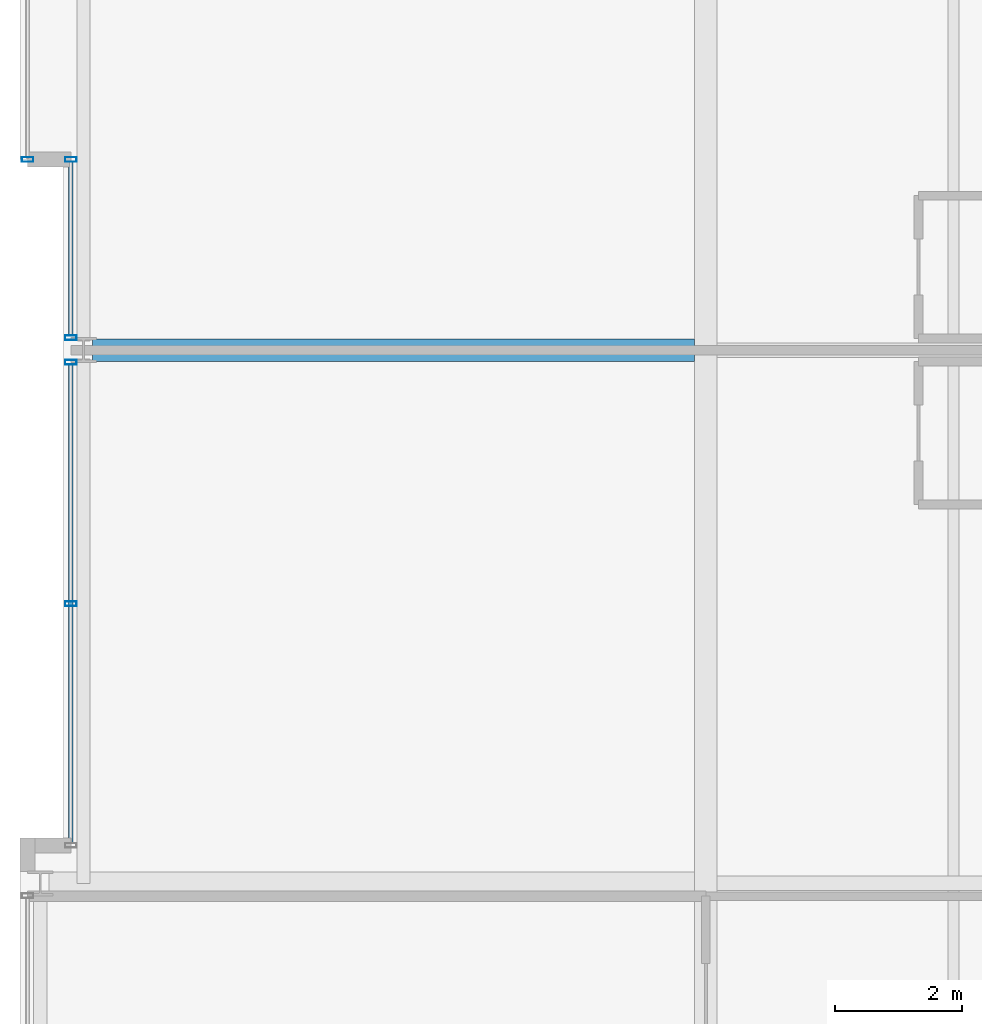
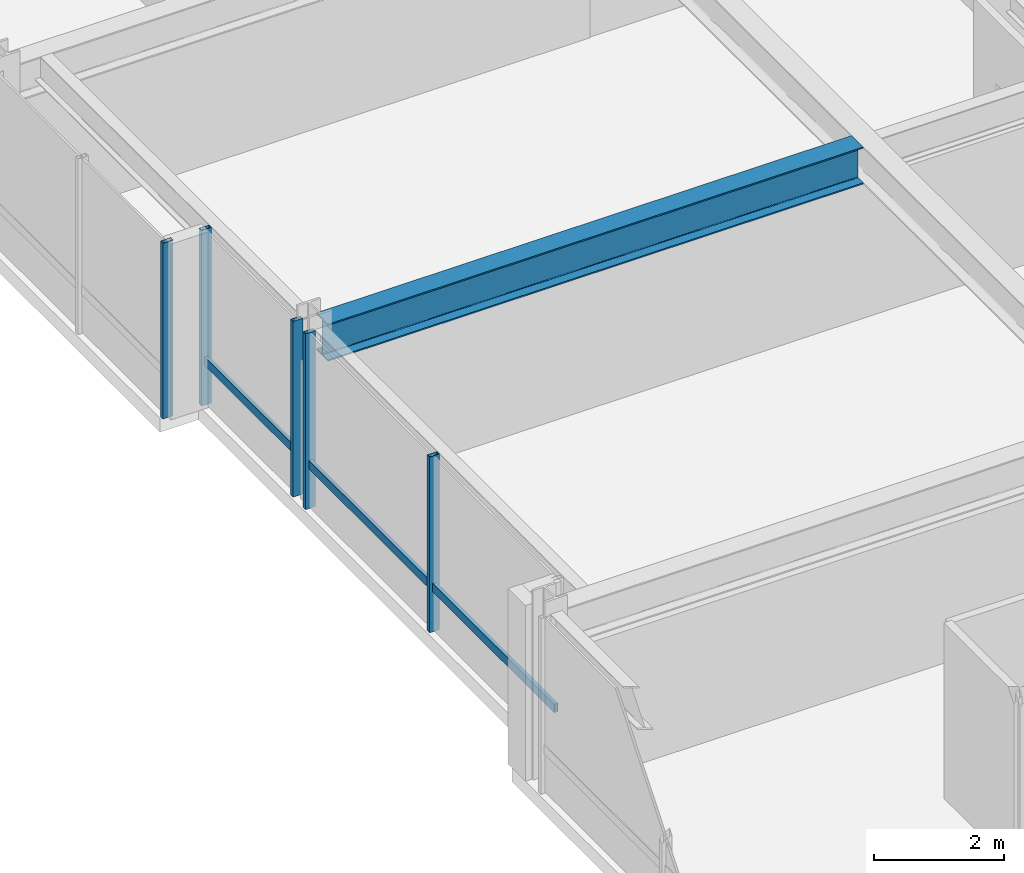
# One storey, part 9 of 32: 7 members, 1 beam, 3 elements without a shape of their own.
"""IFC4 building model written with IfcOpenShell, lengths in metres."""

from ifc_helpers import new_model, si_unit, direction, frame, origin, origin_2d, place, context, subcontext, project, spatial, hollow_rectangle, i_section, extrude, material, layer, layer_set, material_profile, profile_set, type_object, element, aggregate, save


model = new_model("IFC4")

# Units and contexts
model_context = context("Model", 3, precision=1e-05, world=origin(), true_north=direction((0.0, 1.0)))
body_context = subcontext(model_context, "Body", "Model", "MODEL_VIEW")
ifc_project = project(units=[si_unit("LENGTHUNIT", "METRE"), si_unit("AREAUNIT", "SQUARE_METRE"), si_unit("VOLUMEUNIT", "CUBIC_METRE"), si_unit("PLANEANGLEUNIT", "RADIAN"), si_unit("MASSUNIT", "GRAM", prefix="KILO")], contexts=[model_context])

# Site, building, storey
site_placement = place(None, origin())
site = spatial("IfcSite", under=ifc_project, at=site_placement, CompositionType="ELEMENT")
building_placement = place(site_placement, origin())
building = spatial("IfcBuilding", under=site, at=building_placement, Name="Drelvath Grand Hotel", CompositionType="ELEMENT")
storey_placement = place(building_placement, frame((0.0, 0.0, 193.0)))
storey = spatial("IfcBuildingStorey", under=building, at=storey_placement, Name="L50", CompositionType="ELEMENT", Elevation=193.0)

# Curtain wall, member
ifc_material_1 = material(Name="Brushed Pale-Silver Anodised Aluminium Frame", Category="aluminium")
ifc_layer = layer(ifc_material_1, 0.199951171875)
ifc_layer_set = layer_set([ifc_layer], Name="Brushed Pale-Silver Anodised Aluminium Frame")
curtain_wall_type = type_object("IfcCurtainWallType", Name="Stick Curtain Wall CW-04 Brushed Silver Upper-Mid", PredefinedType="NOTDEFINED", material=ifc_layer_set)
curtain_wall_1_placement = place(storey_placement, origin())
curtain_wall_1 = element("IfcCurtainWall", 1, at=curtain_wall_1_placement, inside=storey, type_object=curtain_wall_type, Name="L50 CW-04 Curtain Wall CW04-L50-WM1", PredefinedType="NOTDEFINED")
ifc_material_profile_1 = material_profile(ifc_material_1, hollow_rectangle(XDim=0.06494140625, YDim=0.159912109375, WallThickness=0.00390625, at=origin_2d()), Name="HSS160X65X4")
ifc_profile_set_1 = profile_set([ifc_material_profile_1], Name="Brushed Pale-Silver Anodised Aluminium Frame")
member_type_1 = type_object("IfcMemberType", Name="Curtain Wall Horizontal Transom CW-04 HSS160X65X4", PredefinedType="USERDEFINED", material=ifc_profile_set_1)
member_1_placement = place(storey_placement, frame((-26.199951171875, 19.239990234375, 0.822509765625), z_axis=(0.0, 1.0, 0.0), x_axis=(-1.0, 0.0, 0.0)))
member_1 = element("IfcMember", 2, at=member_1_placement, type_object=member_type_1, Name="CW04-L50-WM1 Sill Transom", ObjectType="TRANSOM", PredefinedType="USERDEFINED", context=body_context, shape_type="SweptSolid", body=[
    extrude(hollow_rectangle(XDim=0.06494140625, YDim=0.159912109375, WallThickness=0.00390625, at=origin_2d()), origin(), (0.0, 0.0, 1.0), 7.5283203125),
])

curtain_wall_2_placement = place(storey_placement, origin())
curtain_wall_2 = element("IfcCurtainWall", 3, at=curtain_wall_2_placement, inside=storey, type_object=curtain_wall_type, Name="L50 CW-04 Curtain Wall CW04-L50-WM2", PredefinedType="NOTDEFINED")
member_2_placement = place(storey_placement, frame((-26.199951171875, 27.231689453125, 0.822509765625), z_axis=(0.0, 1.0, 0.0), x_axis=(-1.0, 0.0, 0.0)))
member_2 = element("IfcMember", 4, at=member_2_placement, type_object=member_type_1, Name="CW04-L50-WM2 Sill Transom", ObjectType="TRANSOM", PredefinedType="USERDEFINED", context=body_context, shape_type="SweptSolid", body=[
    extrude(hollow_rectangle(XDim=0.06494140625, YDim=0.159912109375, WallThickness=0.00390625, at=origin_2d()), origin(), (0.0, 0.0, 1.0), 2.728271484375),
])

# Member
ifc_material_profile_2 = material_profile(ifc_material_1, hollow_rectangle(XDim=0.074951171875, YDim=0.179931640625, WallThickness=0.0048828125, at=origin_2d()), Name="HSS180X75X5")
ifc_profile_set_2 = profile_set([ifc_material_profile_2], Name="Brushed Pale-Silver Anodised Aluminium Frame")
member_type_2 = type_object("IfcMemberType", Name="Curtain Wall Vertical Mullion CW-04 HSS180X75X5", PredefinedType="MULLION", material=ifc_profile_set_2)
member_3_placement = place(storey_placement, frame((-26.199951171875, 23.004150390625, 0.0), z_axis=(0.0, 0.0, 1.0), x_axis=(0.0, 1.0, 0.0)))
member_3 = element("IfcMember", 5, at=member_3_placement, type_object=member_type_2, Name="CW04-L50-WM1 Mullion 2", PredefinedType="MULLION", context=body_context, shape_type="SweptSolid", body=[
    extrude(hollow_rectangle(XDim=0.074951171875, YDim=0.179931640625, WallThickness=0.0048828125, at=origin_2d()), origin(), (0.0, 0.0, 1.0), 3.2900390625),
])

member_4_placement = place(storey_placement, frame((-26.199951171875, 26.808349609375, 0.0), z_axis=(0.0, 0.0, 1.0), x_axis=(0.0, 1.0, 0.0)))
member_4 = element("IfcMember", 6, at=member_4_placement, type_object=member_type_2, Name="CW04-L50-WM1 Mullion 3", PredefinedType="MULLION", context=body_context, shape_type="SweptSolid", body=[
    extrude(hollow_rectangle(XDim=0.074951171875, YDim=0.179931640625, WallThickness=0.0048828125, at=origin_2d()), origin(), (0.0, 0.0, 1.0), 3.2900390625),
])

aggregate(curtain_wall_1, [member_3, member_4, member_1])

member_5_placement = place(storey_placement, frame((-26.199951171875, 27.191650390625, 0.0), z_axis=(0.0, 0.0, 1.0), x_axis=(0.0, 1.0, 0.0)))
member_5 = element("IfcMember", 7, at=member_5_placement, type_object=member_type_2, Name="CW04-L50-WM2 Mullion 1", PredefinedType="MULLION", context=body_context, shape_type="SweptSolid", body=[
    extrude(hollow_rectangle(XDim=0.074951171875, YDim=0.179931640625, WallThickness=0.0048828125, at=origin_2d()), origin(), (0.0, 0.0, 1.0), 3.2900390625),
])

member_6_placement = place(storey_placement, frame((-26.199951171875, 30.0, 0.0), z_axis=(0.0, 0.0, 1.0), x_axis=(0.0, 1.0, 0.0)))
member_6 = element("IfcMember", 8, at=member_6_placement, type_object=member_type_2, Name="CW04-L50-WM2 Mullion 2", PredefinedType="MULLION", context=body_context, shape_type="SweptSolid", body=[
    extrude(hollow_rectangle(XDim=0.074951171875, YDim=0.179931640625, WallThickness=0.0048828125, at=origin_2d()), origin(), (0.0, 0.0, 1.0), 3.2900390625),
])

aggregate(curtain_wall_2, [member_5, member_6, member_2])

# Curtain wall, member
curtain_wall_3_placement = place(storey_placement, origin())
curtain_wall_3 = element("IfcCurtainWall", 9, at=curtain_wall_3_placement, inside=storey, type_object=curtain_wall_type, Name="L50 CW-04 Curtain Wall CW04-L50-WN1", PredefinedType="NOTDEFINED")
member_7_placement = place(storey_placement, frame((-26.8798828125, 30.0, 0.0), z_axis=(0.0, 0.0, 1.0), x_axis=(0.0, 1.0, 0.0)))
member_7 = element("IfcMember", 10, at=member_7_placement, type_object=member_type_2, Name="CW04-L50-WN1 Mullion 1", PredefinedType="MULLION", context=body_context, shape_type="SweptSolid", body=[
    extrude(hollow_rectangle(XDim=0.074951171875, YDim=0.179931640625, WallThickness=0.0048828125, at=origin_2d()), origin(), (0.0, 0.0, 1.0), 3.2900390625),
])
aggregate(curtain_wall_3, [member_7])

# Beam
ifc_material_2 = material(Name="Steel ASTM A992 Gr 50", Category="steel")
ifc_material_profile_3 = material_profile(ifc_material_2, i_section(OverallWidth=0.354736328125, OverallDepth=0.695556640625, WebThickness=0.015380859375, FlangeThickness=0.025146484375, FilletRadius=0.02392578125, at=origin_2d()), Name="W27X146")
ifc_profile_set_3 = profile_set([ifc_material_profile_3], Name="Steel ASTM A992 Gr 50")
beam_type = type_object("IfcBeamType", Name="Primary Floor Girder W27X146", PredefinedType="BEAM", material=ifc_profile_set_3)
beam_placement = place(storey_placement, frame((-25.860107421875, 27.0, 2.9423828125), z_axis=(1.0, 0.0, 0.0), x_axis=(0.0, 1.0, 0.0)))
element("IfcBeam", 11, at=beam_placement, inside=storey, type_object=beam_type, Name="L50 West Wing Girder E", PredefinedType="BEAM", context=body_context, shape_type="SweptSolid", body=[
    extrude(i_section(OverallWidth=0.354736328125, OverallDepth=0.695556640625, WebThickness=0.015380859375, FlangeThickness=0.025146484375, FilletRadius=0.02392578125, at=origin_2d()), origin(), (0.0, 0.0, 1.0), 9.482666015625),
])

save(model, "model.ifc")
